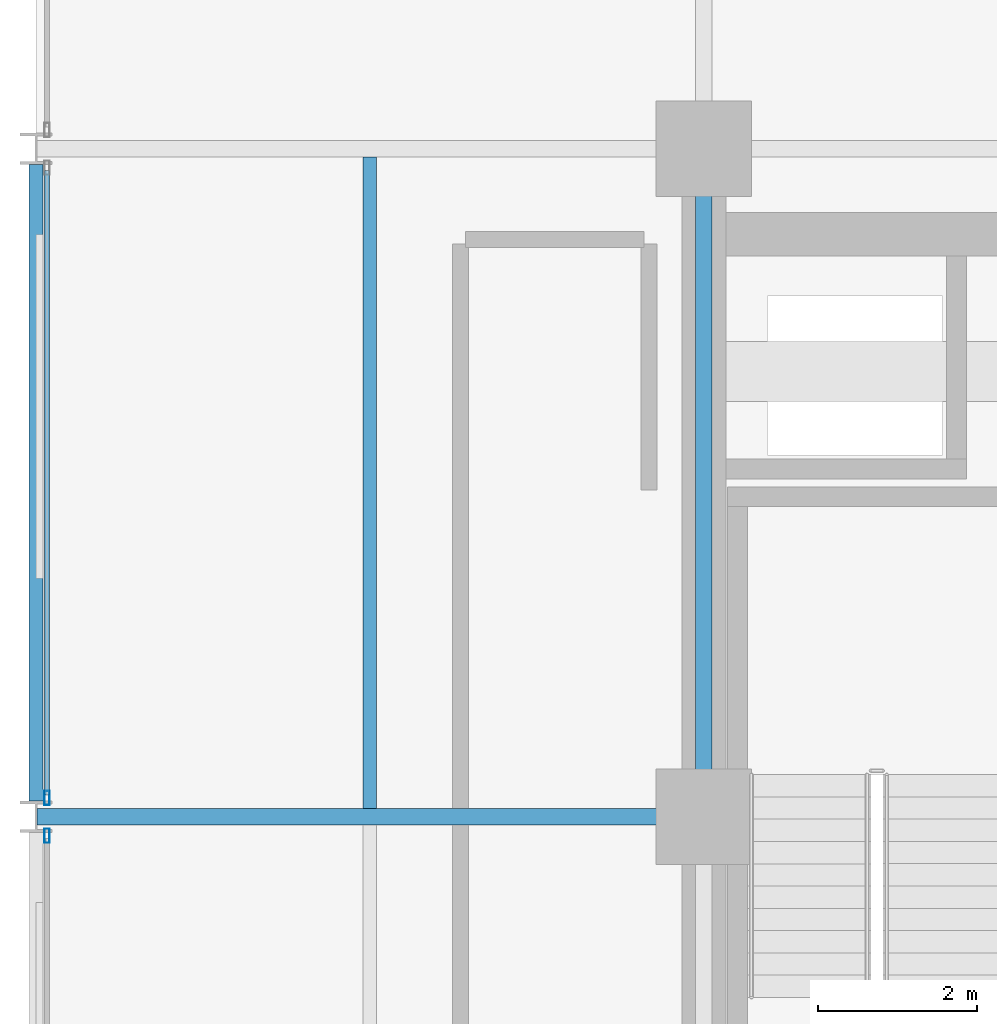
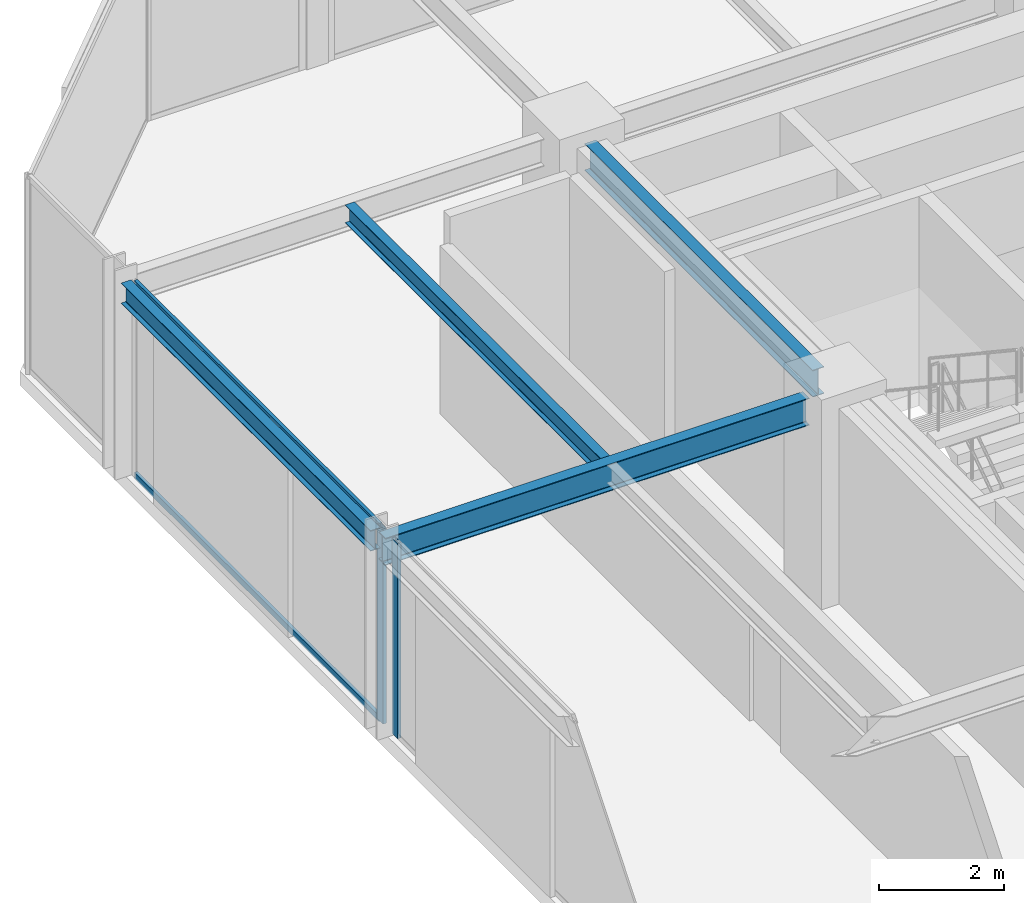
# One storey, part 16 of 29: 4 beams, 4 members, 2 elements without a shape of their own.
"""IFC4 building model written with IfcOpenShell, lengths in metres."""

from ifc_helpers import new_model, si_unit, direction, frame, origin, origin_2d, place, context, subcontext, project, spatial, hollow_rectangle, i_section, extrude, material, layer, layer_set, material_profile, profile_set, type_object, element, aggregate, save


model = new_model("IFC4")

# Units and contexts
model_context = context("Model", 3, precision=1e-05, world=origin(), true_north=direction((0.0, 1.0)))
body_context = subcontext(model_context, "Body", "Model", "MODEL_VIEW")
ifc_project = project(units=[si_unit("LENGTHUNIT", "METRE"), si_unit("AREAUNIT", "SQUARE_METRE"), si_unit("VOLUMEUNIT", "CUBIC_METRE"), si_unit("PLANEANGLEUNIT", "RADIAN"), si_unit("MASSUNIT", "GRAM", prefix="KILO")], contexts=[model_context])

# Site, building, storey
site_placement = place(None, origin())
site = spatial("IfcSite", under=ifc_project, at=site_placement, CompositionType="ELEMENT")
building_placement = place(site_placement, origin())
building = spatial("IfcBuilding", under=site, at=building_placement, Name="Nerrivon Quay Data Exchange", CompositionType="ELEMENT")
storey_placement = place(building_placement, frame((0.0, 0.0, 150.0)))
storey = spatial("IfcBuildingStorey", under=building, at=storey_placement, Name="L35", CompositionType="ELEMENT", Elevation=150.0)

# Beams
ifc_material_1 = material(Name="Steel Grade 350", Category="steel")
ifc_material_profile_1 = material_profile(ifc_material_1, i_section(OverallWidth=0.208984375, OverallDepth=0.532958984375, WebThickness=0.01025390625, FlangeThickness=0.015625, FilletRadius=0.013916015625, at=origin_2d()), Name="530UB92.4")
ifc_profile_set_1 = profile_set([ifc_material_profile_1], Name="Steel Grade 350")
beam_type_1 = type_object("IfcBeamType", Name="BM-G3-530UB92", PredefinedType="BEAM", material=ifc_profile_set_1)
beam_1_placement = place(storey_placement, frame((0.012451171875, 33.60009765625, 3.55859375), z_axis=(1.0, 0.0, 0.0), x_axis=(0.0, 1.0, 0.0)))
element("IfcBeam", 1, at=beam_1_placement, inside=storey, type_object=beam_type_1, Name="L35 EW Girder Y=33.6 (0.0..8.4)", PredefinedType="BEAM", context=body_context, shape_type="SweptSolid", body=[
    extrude(i_section(OverallWidth=0.208984375, OverallDepth=0.532958984375, WebThickness=0.01025390625, FlangeThickness=0.015625, FilletRadius=0.013916015625, at=origin_2d()), origin(), (0.0, 0.0, 1.0), 7.84765625),
])
ifc_material_profile_2 = material_profile(ifc_material_1, i_section(OverallWidth=0.208984375, OverallDepth=0.528076171875, WebThickness=0.009521484375, FlangeThickness=0.01318359375, FilletRadius=0.013916015625, at=origin_2d()), Name="530UB82.0")
ifc_profile_set_2 = profile_set([ifc_material_profile_2], Name="Steel Grade 350")
beam_type_2 = type_object("IfcBeamType", Name="BM-G4-530UB82", PredefinedType="BEAM", material=ifc_profile_set_2)
beam_2_placement = place(storey_placement, frame((8.39990234375, 34.139892578125, 3.56103515625), z_axis=(0.0, 1.0, 0.0), x_axis=(-1.0, 0.0, 0.0)))
element("IfcBeam", 2, at=beam_2_placement, inside=storey, type_object=beam_type_2, Name="L35 NS Girder X=8.4 (33.6..42.0)", PredefinedType="BEAM", context=body_context, shape_type="SweptSolid", body=[
    extrude(i_section(OverallWidth=0.208984375, OverallDepth=0.528076171875, WebThickness=0.009521484375, FlangeThickness=0.01318359375, FilletRadius=0.013916015625, at=origin_2d()), origin(), (0.0, 0.0, 1.0), 7.320068359375),
])
ifc_material_profile_3 = material_profile(ifc_material_1, i_section(OverallWidth=0.1708984375, OverallDepth=0.35595703125, WebThickness=0.00732421875, FlangeThickness=0.011474609375, FilletRadius=0.011474609375, at=origin_2d()), Name="360UB50.7")
ifc_profile_set_3 = profile_set([ifc_material_profile_3], Name="Steel Grade 350")
beam_type_3 = type_object("IfcBeamType", Name="BM-J4-360UB51", PredefinedType="JOIST", material=ifc_profile_set_3)
beam_3_placement = place(storey_placement, frame((4.199951171875, 33.70458984375, 3.64697265625), z_axis=(0.0, 1.0, 0.0), x_axis=(-1.0, 0.0, 0.0)))
element("IfcBeam", 3, at=beam_3_placement, inside=storey, type_object=beam_type_3, Name="L35 Secondary Joist X=4.2 (33.6..42.0)", PredefinedType="JOIST", context=body_context, shape_type="SweptSolid", body=[
    extrude(i_section(OverallWidth=0.1708984375, OverallDepth=0.35595703125, WebThickness=0.00732421875, FlangeThickness=0.011474609375, FilletRadius=0.011474609375, at=origin_2d()), origin(), (0.0, 0.0, 1.0), 8.19091796875),
])
ifc_material_profile_4 = material_profile(ifc_material_1, i_section(OverallWidth=0.177978515625, OverallDepth=0.403076171875, WebThickness=0.007568359375, FlangeThickness=0.010986328125, FilletRadius=0.011474609375, at=origin_2d()), Name="410UB53.7")
ifc_profile_set_4 = profile_set([ifc_material_profile_4], Name="Steel Grade 350")
beam_type_4 = type_object("IfcBeamType", Name="BM-SP2-410UB54", PredefinedType="SPANDREL", material=ifc_profile_set_4)
beam_4_placement = place(storey_placement, frame((0.0, 33.800048828125, 3.62353515625), z_axis=(0.0, 1.0, 0.0), x_axis=(-1.0, 0.0, 0.0)))
element("IfcBeam", 4, at=beam_4_placement, inside=storey, type_object=beam_type_4, Name="L35 NS Girder X=0.0 (33.6..42.0)", PredefinedType="SPANDREL", context=body_context, shape_type="SweptSolid", body=[
    extrude(i_section(OverallWidth=0.177978515625, OverallDepth=0.403076171875, WebThickness=0.007568359375, FlangeThickness=0.010986328125, FilletRadius=0.011474609375, at=origin_2d()), origin(), (0.0, 0.0, 1.0), 8.0),
])

# Curtain wall, member
ifc_material_2 = material(Name="Anodised aluminium 6063-T6", Category="aluminium")
ifc_layer = layer(ifc_material_2, 0.2099609375)
ifc_layer_set = layer_set([ifc_layer], Name="Anodised aluminium 6063-T6")
curtain_wall_type = type_object("IfcCurtainWallType", Name="CW-SYS-02", PredefinedType="NOTDEFINED", material=ifc_layer_set)
curtain_wall_1_placement = place(storey_placement, origin())
curtain_wall_1 = element("IfcCurtainWall", 5, at=curtain_wall_1_placement, inside=storey, type_object=curtain_wall_type, Name="L35 Unitised Curtain Wall 14", PredefinedType="NOTDEFINED")
ifc_material_profile_5 = material_profile(ifc_material_2, hollow_rectangle(XDim=0.06494140625, YDim=0.179931640625, WallThickness=0.00341796875, at=origin_2d()), Name="ALU-MULL-180x65")
ifc_profile_set_5 = profile_set([ifc_material_profile_5], Name="Anodised aluminium 6063-T6")
member_type_1 = type_object("IfcMemberType", Name="CWM-180x65", PredefinedType="MULLION", material=ifc_profile_set_5)
member_1_placement = place(storey_placement, frame((0.139892578125, 33.362548828125, 0.0), z_axis=(0.0, 0.0, 1.0), x_axis=(-1.0, 0.0, 0.0)))
member_1 = element("IfcMember", 6, at=member_1_placement, type_object=member_type_1, Name="CW02 mullion 2", PredefinedType="MULLION", context=body_context, shape_type="SweptSolid", body=[
    extrude(hollow_rectangle(XDim=0.06494140625, YDim=0.179931640625, WallThickness=0.00341796875, at=origin_2d()), origin(), (0.0, 0.0, 1.0), 3.824951171875),
])
aggregate(curtain_wall_1, [member_1])

# Curtain wall, members
curtain_wall_2_placement = place(storey_placement, origin())
curtain_wall_2 = element("IfcCurtainWall", 7, at=curtain_wall_2_placement, inside=storey, type_object=curtain_wall_type, Name="L35 Unitised Curtain Wall 15", PredefinedType="NOTDEFINED")
member_2_placement = place(storey_placement, frame((0.139892578125, 33.83740234375, 0.0), z_axis=(0.0, 0.0, 1.0), x_axis=(-1.0, 0.0, 0.0)))
member_2 = element("IfcMember", 8, at=member_2_placement, type_object=member_type_1, Name="CW02 mullion 1", PredefinedType="MULLION", context=body_context, shape_type="SweptSolid", body=[
    extrude(hollow_rectangle(XDim=0.06494140625, YDim=0.179931640625, WallThickness=0.00341796875, at=origin_2d()), origin(), (0.0, 0.0, 1.0), 3.824951171875),
])
ifc_material_profile_6 = material_profile(ifc_material_2, hollow_rectangle(XDim=0.06005859375, YDim=0.1201171875, WallThickness=0.003173828125, at=origin_2d()), Name="ALU-TRAN-120x60")
ifc_profile_set_6 = profile_set([ifc_material_profile_6], Name="Anodised aluminium 6063-T6")
member_type_2 = type_object("IfcMemberType", Name="CWT-120x60", PredefinedType="USERDEFINED", material=ifc_profile_set_6)
member_3_placement = place(storey_placement, frame((0.139892578125, 33.875, 0.032470703125), z_axis=(0.0, 1.0, 0.0), x_axis=(-1.0, 0.0, 0.0)))
member_3 = element("IfcMember", 9, at=member_3_placement, type_object=member_type_2, Name="CW02 transom 1.1", ObjectType="TRANSOM", PredefinedType="USERDEFINED", context=body_context, shape_type="SweptSolid", body=[
    extrude(hollow_rectangle(XDim=0.06005859375, YDim=0.1201171875, WallThickness=0.003173828125, at=origin_2d()), origin(), (0.0, 0.0, 1.0), 7.85009765625),
])
member_4_placement = place(storey_placement, frame((0.139892578125, 33.875, 3.79248046875), z_axis=(0.0, 1.0, 0.0), x_axis=(-1.0, 0.0, 0.0)))
member_4 = element("IfcMember", 10, at=member_4_placement, type_object=member_type_2, Name="CW02 transom 1.2", ObjectType="TRANSOM", PredefinedType="USERDEFINED", context=body_context, shape_type="SweptSolid", body=[
    extrude(hollow_rectangle(XDim=0.06005859375, YDim=0.1201171875, WallThickness=0.003173828125, at=origin_2d()), origin(), (0.0, 0.0, 1.0), 7.85009765625),
])
aggregate(curtain_wall_2, [member_2, member_3, member_4])

save(model, "model.ifc")
